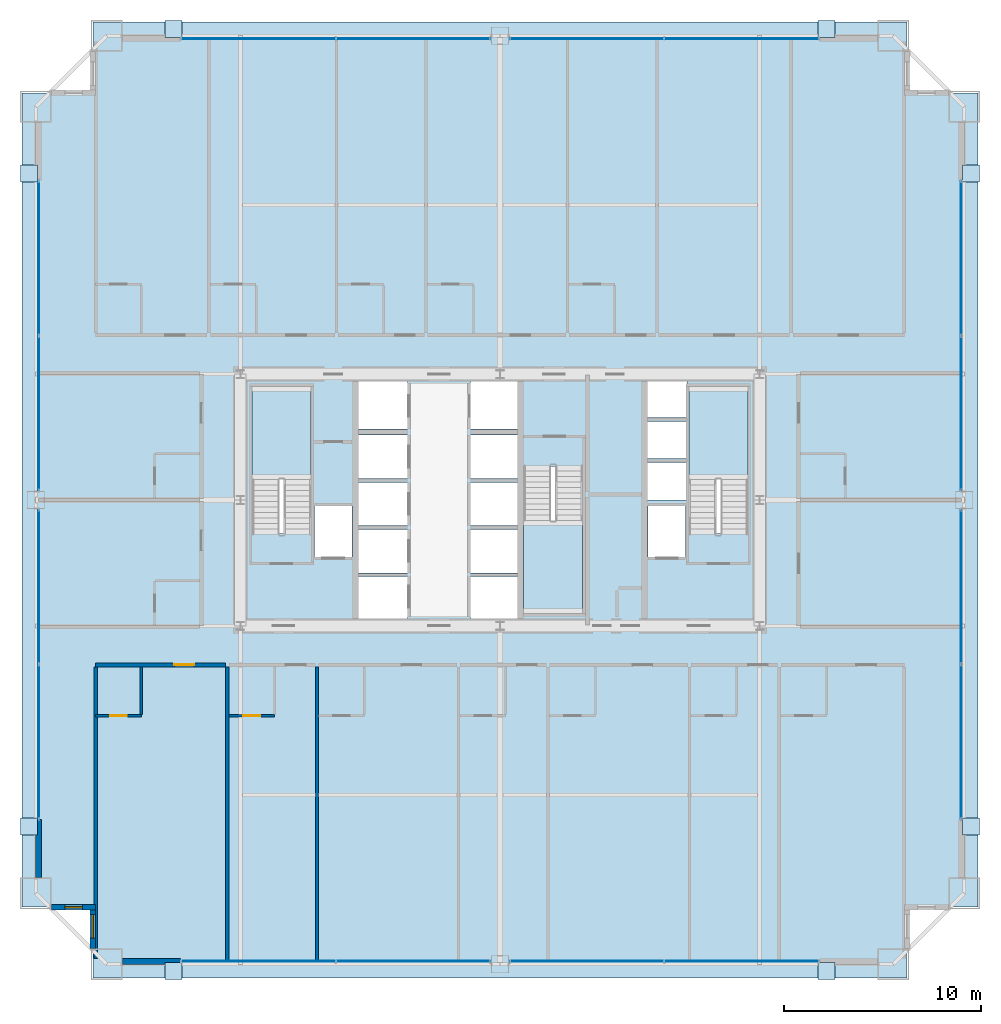
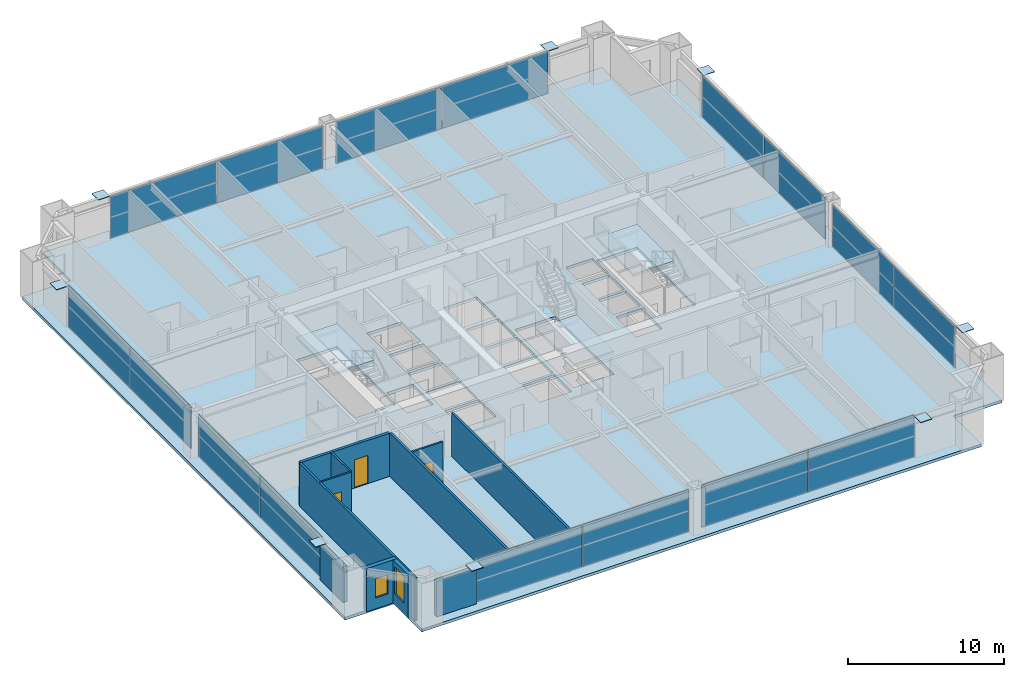
# One storey, part 33 of 38: 24 plates, 11 walls, 4 slabs, 3 doors, 2 windows, 5 openings, 11 elements without a shape of their own.
"""IFC4 building model written with IfcOpenShell, lengths in metres."""

from ifc_helpers import new_model, si_unit, direction, frame, frame_2d, origin, origin_2d, place, context, subcontext, project, spatial, polyline, rectangle, outline, extrude, source, transform, mapped, material, layer, layer_set, type_object, element, fill, aggregate, save


model = new_model("IFC4")

# Units and contexts
model_context = context("Model", 3, precision=1e-05, world=origin(), true_north=direction((0.0, 1.0)))
body_context = subcontext(model_context, "Body", "Model", "MODEL_VIEW")
ifc_project = project(units=[si_unit("LENGTHUNIT", "METRE"), si_unit("AREAUNIT", "SQUARE_METRE"), si_unit("VOLUMEUNIT", "CUBIC_METRE"), si_unit("PLANEANGLEUNIT", "RADIAN"), si_unit("MASSUNIT", "GRAM", prefix="KILO"), si_unit("THERMODYNAMICTEMPERATUREUNIT", "KELVIN"), si_unit("POWERUNIT", "WATT")], contexts=[model_context])

# Site, building, storey
site_placement = place(None, origin())
site = spatial("IfcSite", under=ifc_project, at=site_placement, CompositionType="ELEMENT")
building_placement = place(site_placement, origin())
building = spatial("IfcBuilding", under=site, at=building_placement, Name="Yuzanri Waterfront Tower", CompositionType="ELEMENT")
storey_placement = place(building_placement, frame((0.0, 0.0, 90.199951171875)))
storey = spatial("IfcBuildingStorey", under=building, at=storey_placement, Name="L23", CompositionType="ELEMENT", Elevation=90.199951171875)

# Stair, slab
ifc_material_1 = material(Name="Concrete C40", Category="concrete")
stair_type = type_object("IfcStairType", Name="Concrete C40 Core Dogleg Exit Stair", PredefinedType="HALF_TURN_STAIR", material=ifc_material_1)
stair_1_placement = place(storey_placement, origin())
stair_1 = element("IfcStair", 1, at=stair_1_placement, inside=storey, type_object=stair_type, Name="L23 Smoke-Proof Core Stair ST-01", PredefinedType="HALF_TURN_STAIR")
ifc_material_2 = material(Name="Concrete C40", Category="concrete")
ifc_layer_1 = layer(ifc_material_2, 0.179931640625)
ifc_layer_set_1 = layer_set([ifc_layer_1], Name="Concrete C40")
slab_type_1 = type_object("IfcSlabType", Name="Concrete C40 Stair Half-Landing Slab 180", PredefinedType="LANDING", material=ifc_layer_set_1)
slab_1_placement = place(storey_placement, frame((0.0, 0.0, 1.60009765625)))
slab_1 = element("IfcSlab", 2, at=slab_1_placement, type_object=slab_type_1, Name="ST-01 landing 1", PredefinedType="LANDING", context=body_context, shape_type="SweptSolid", body=[
    extrude(outline(polyline([(27.39990234375, 26.840087890625), (27.39990234375, 31.580078125), (24.39990234375, 31.580078125), (24.39990234375, 26.840087890625), (27.39990234375, 26.840087890625)])), origin(), (0.0, 0.0, 1.0), 0.199951171875),
])
aggregate(stair_1, [slab_1])

stair_2_placement = place(storey_placement, origin())
stair_2 = element("IfcStair", 3, at=stair_2_placement, inside=storey, type_object=stair_type, Name="L23 Smoke-Proof Core Stair ST-02", PredefinedType="HALF_TURN_STAIR")
slab_2_placement = place(storey_placement, frame((0.0, 0.0, 1.60009765625)))
slab_2 = element("IfcSlab", 4, at=slab_2_placement, type_object=slab_type_1, Name="ST-02 landing 1", PredefinedType="LANDING", context=body_context, shape_type="SweptSolid", body=[
    extrude(outline(polyline([(49.60009765625, 26.840087890625), (49.60009765625, 31.580078125), (46.60009765625, 31.580078125), (46.60009765625, 26.840087890625), (49.60009765625, 26.840087890625)])), origin(), (0.0, 0.0, 1.0), 0.199951171875),
])
aggregate(stair_2, [slab_2])

stair_3_placement = place(storey_placement, origin())
stair_3 = element("IfcStair", 5, at=stair_3_placement, inside=storey, type_object=stair_type, Name="L23 Smoke-Proof Core Stair ST-03", PredefinedType="HALF_TURN_STAIR")
slab_3_placement = place(storey_placement, frame((0.0, 0.0, 1.60009765625)))
slab_3 = element("IfcSlab", 6, at=slab_3_placement, type_object=slab_type_1, Name="ST-03 landing 1", PredefinedType="LANDING", context=body_context, shape_type="SweptSolid", body=[
    extrude(outline(polyline([(38.199951171875, 24.760009765625), (38.199951171875, 20.02001953125), (41.199951171875, 20.02001953125), (41.199951171875, 24.760009765625), (38.199951171875, 24.760009765625)])), origin(), (0.0, 0.0, 1.0), 0.199951171875),
])
aggregate(stair_3, [slab_3])

# Slab
ifc_material_3 = material(Name="Concrete C40", Category="concrete")
ifc_layer_2 = layer(ifc_material_3, 0.219970703125)
ifc_layer_set_2 = layer_set([ifc_layer_2], Name="Concrete C40")
slab_type_2 = type_object("IfcSlabType", Name="Concrete C40 Tower Typical Structural Floor Slab 220", PredefinedType="FLOOR", material=ifc_layer_set_2)
slab_4_placement = place(storey_placement, frame((0.0, 0.0, -0.219970703125)))
element("IfcSlab", 7, at=slab_4_placement, inside=storey, type_object=slab_type_2, Name="L23 Main Structural Floor Slab", PredefinedType="FLOOR", context=body_context, shape_type="SweptSolid", body=[
    extrude(outline(polyline([(16.300048828125, 1.5), (57.699951171875, 1.5), (57.699951171875, 5.10009765625), (61.300048828125, 5.10009765625), (61.300048828125, 46.5), (57.699951171875, 46.5), (57.699951171875, 50.10009765625), (16.300048828125, 50.10009765625), (16.300048828125, 46.5), (12.699951171875, 46.5), (12.699951171875, 5.10009765625), (16.300048828125, 5.10009765625), (16.300048828125, 1.5)]), holes=[polyline([(27.39990234375, 24.10009765625), (27.39990234375, 31.580078125), (24.39990234375, 31.580078125), (24.39990234375, 24.10009765625), (27.39990234375, 24.10009765625)]), polyline([(49.60009765625, 24.10009765625), (49.60009765625, 31.580078125), (46.60009765625, 31.580078125), (46.60009765625, 24.10009765625), (49.60009765625, 24.10009765625)]), polyline([(38.199951171875, 27.5), (38.199951171875, 20.02001953125), (41.199951171875, 20.02001953125), (41.199951171875, 27.5), (38.199951171875, 27.5)]), polyline([(27.56005859375, 22.89990234375), (29.47998046875, 22.89990234375), (29.47998046875, 25.5), (27.56005859375, 25.5), (27.56005859375, 22.89990234375)]), polyline([(44.52001953125, 22.89990234375), (46.43994140625, 22.89990234375), (46.43994140625, 25.5), (44.52001953125, 25.5), (44.52001953125, 22.89990234375)]), polyline([(29.800048828125, 19.699951171875), (32.300048828125, 19.699951171875), (32.300048828125, 21.89990234375), (29.800048828125, 21.89990234375), (29.800048828125, 19.699951171875)]), polyline([(29.800048828125, 22.10009765625), (32.300048828125, 22.10009765625), (32.300048828125, 24.300048828125), (29.800048828125, 24.300048828125), (29.800048828125, 22.10009765625)]), polyline([(29.800048828125, 24.5), (32.300048828125, 24.5), (32.300048828125, 26.699951171875), (29.800048828125, 26.699951171875), (29.800048828125, 24.5)]), polyline([(29.800048828125, 26.89990234375), (32.300048828125, 26.89990234375), (32.300048828125, 29.10009765625), (29.800048828125, 29.10009765625), (29.800048828125, 26.89990234375)]), polyline([(29.800048828125, 29.39990234375), (32.300048828125, 29.39990234375), (32.300048828125, 31.89990234375), (29.800048828125, 31.89990234375), (29.800048828125, 29.39990234375)]), polyline([(35.5, 19.699951171875), (37.89990234375, 19.699951171875), (37.89990234375, 21.89990234375), (35.5, 21.89990234375), (35.5, 19.699951171875)]), polyline([(35.5, 22.10009765625), (37.89990234375, 22.10009765625), (37.89990234375, 24.300048828125), (35.5, 24.300048828125), (35.5, 22.10009765625)]), polyline([(35.5, 24.5), (37.89990234375, 24.5), (37.89990234375, 26.699951171875), (35.5, 26.699951171875), (35.5, 24.5)]), polyline([(35.5, 26.89990234375), (37.89990234375, 26.89990234375), (37.89990234375, 29.10009765625), (35.5, 29.10009765625), (35.5, 26.89990234375)]), polyline([(35.5, 29.39990234375), (37.89990234375, 29.39990234375), (37.89990234375, 31.89990234375), (35.5, 31.89990234375), (35.5, 29.39990234375)]), polyline([(44.5, 25.800048828125), (46.5, 25.800048828125), (46.5, 27.699951171875), (44.5, 27.699951171875), (44.5, 25.800048828125)]), polyline([(44.5, 27.89990234375), (46.5, 27.89990234375), (46.5, 29.800048828125), (44.5, 29.800048828125), (44.5, 27.89990234375)]), polyline([(44.5, 30.0), (46.5, 30.0), (46.5, 31.89990234375), (44.5, 31.89990234375), (44.5, 30.0)])]), origin(), (0.0, 0.0, 1.0), 0.219970703125),
])

# Plates
ifc_material_4 = material(Name="Steel Q420GJC", Category="steel")
ifc_layer_3 = layer(ifc_material_4, 0.0400390625)
ifc_layer_set_3 = layer_set([ifc_layer_3], Name="Steel Q420GJC")
plate_type_1 = type_object("IfcPlateType", Name="Steel Q420GJC Mega-Brace Gusset and End-Cap Plate 40", PredefinedType="SHEET", material=ifc_layer_set_3)
shared_shape_1 = source(origin(), body_context, "Body", "SweptSolid", [
    extrude(rectangle(XDim=0.85009765625, YDim=0.85009765625, at=origin_2d()), origin(), (0.0, 0.0, 1.0), 0.0400390625),
])
for number, where, z_axis, x_axis, name in (
    (8, (20.39990234375, 1.860107421875, 3.260009765625), (0.0, 0.0, 1.0), (1.0, 0.0, 0.0), "L23 Mega-Brace Apex Cap Plate S-L"),
    (9, (53.60009765625, 1.860107421875, 3.260009765625), (0.0, 0.0, 1.0), (1.0, 0.0, 0.0), "L23 Mega-Brace Apex Cap Plate S-R"),
    (10, (20.39990234375, 49.739990234375, 3.260009765625), (0.0, 0.0, 1.0), (1.0, 0.0, 0.0), "L23 Mega-Brace Apex Cap Plate N-L"),
    (11, (53.60009765625, 49.739990234375, 3.260009765625), (0.0, 0.0, 1.0), (1.0, 0.0, 0.0), "L23 Mega-Brace Apex Cap Plate N-R"),
    (12, (13.06005859375, 9.199951171875, 3.260009765625), (0.0, 0.0, 1.0), (1.0, 0.0, 0.0), "L23 Mega-Brace Apex Cap Plate W-L"),
    (13, (13.06005859375, 42.39990234375, 3.260009765625), (0.0, 0.0, 1.0), (1.0, 0.0, 0.0), "L23 Mega-Brace Apex Cap Plate W-R"),
    (14, (60.93994140625, 9.199951171875, 3.260009765625), (0.0, 0.0, 1.0), (1.0, 0.0, 0.0), "L23 Mega-Brace Apex Cap Plate E-L"),
    (15, (60.93994140625, 42.39990234375, 3.260009765625), (0.0, 0.0, 1.0), (1.0, 0.0, 0.0), "L23 Mega-Brace Apex Cap Plate E-R"),
):
    element("IfcPlate", number, at=place(storey_placement, frame(where, z_axis=z_axis, x_axis=x_axis)), inside=storey, type_object=plate_type_1, Name=name, PredefinedType="SHEET", context=body_context, shape_type="MappedRepresentation", body=[
        mapped(shared_shape_1, transform((0.0, 0.0, 0.0), scale=1.0)),
    ])

# Curtain wall, plates
ifc_material_5 = material(Name="Anodized Architectural Bronze", Category="metal")
ifc_layer_4 = layer(ifc_material_5, 0.159912109375)
ifc_layer_set_4 = layer_set([ifc_layer_4], Name="Anodized Architectural Bronze")
curtain_wall_type = type_object("IfcCurtainWallType", Name="Anodized Bronze Hotel Upper-Tier Solar-Control Unitized Curtain Wall 7800", PredefinedType="NOTDEFINED", material=ifc_layer_set_4)
curtain_wall_1_placement = place(storey_placement, origin())
curtain_wall_1 = element("IfcCurtainWall", 16, at=curtain_wall_1_placement, inside=storey, type_object=curtain_wall_type, Name="L23 Curtain Wall CW-L23-SL", PredefinedType="NOTDEFINED")
ifc_material_6 = material(Name="Double-Silver Low-E Insulated Glass", Category="glass")
ifc_layer_5 = layer(ifc_material_6, 0.035888671875)
ifc_layer_set_5 = layer_set([ifc_layer_5], Name="Double-Silver Low-E Insulated Glass")
plate_type_2 = type_object("IfcPlateType", Name="Double Silver Low-E Insulated Vision Glass Panel 36", PredefinedType="CURTAIN_PANEL", material=ifc_layer_set_5)
shared_shape_2 = source(origin(), body_context, "Body", "SweptSolid", [
    extrude(rectangle(XDim=7.820068359375, YDim=0.035888671875, at=origin_2d()), origin(), (0.0, 0.0, 1.0), 3.280029296875),
])
plate_1_placement = place(storey_placement, frame((24.699951171875, 2.35009765625, 0.0498046875), z_axis=(0.0, 0.0, 1.0), x_axis=(1.0, 0.0, 0.0)))
plate_1 = element("IfcPlate", 17, at=plate_1_placement, type_object=plate_type_2, Name="CW-L23-SL Vision Glass Panel 01", PredefinedType="CURTAIN_PANEL", context=body_context, shape_type="MappedRepresentation", body=[
    mapped(shared_shape_2, transform((0.0, 0.0, 0.0), scale=1.0)),
])
plate_2_placement = place(storey_placement, frame((32.60009765625, 2.35009765625, 0.0498046875), z_axis=(0.0, 0.0, 1.0), x_axis=(1.0, 0.0, 0.0)))
plate_2 = element("IfcPlate", 18, at=plate_2_placement, type_object=plate_type_2, Name="CW-L23-SL Vision Glass Panel 02", PredefinedType="CURTAIN_PANEL", context=body_context, shape_type="MappedRepresentation", body=[
    mapped(shared_shape_2, transform((0.0, 0.0, 0.0), scale=1.0)),
])
aggregate(curtain_wall_1, [plate_1, plate_2])

curtain_wall_2_placement = place(storey_placement, origin())
curtain_wall_2 = element("IfcCurtainWall", 19, at=curtain_wall_2_placement, inside=storey, type_object=curtain_wall_type, Name="L23 Curtain Wall CW-L23-SR", PredefinedType="NOTDEFINED")
plate_3_placement = place(storey_placement, frame((41.39990234375, 2.35009765625, 0.0498046875), z_axis=(0.0, 0.0, 1.0), x_axis=(1.0, 0.0, 0.0)))
plate_3 = element("IfcPlate", 20, at=plate_3_placement, type_object=plate_type_2, Name="CW-L23-SR Vision Glass Panel 01", PredefinedType="CURTAIN_PANEL", context=body_context, shape_type="MappedRepresentation", body=[
    mapped(shared_shape_2, transform((0.0, 0.0, 0.0), scale=1.0)),
])
plate_4_placement = place(storey_placement, frame((49.300048828125, 2.35009765625, 0.0498046875), z_axis=(0.0, 0.0, 1.0), x_axis=(1.0, 0.0, 0.0)))
plate_4 = element("IfcPlate", 21, at=plate_4_placement, type_object=plate_type_2, Name="CW-L23-SR Vision Glass Panel 02", PredefinedType="CURTAIN_PANEL", context=body_context, shape_type="MappedRepresentation", body=[
    mapped(shared_shape_2, transform((0.0, 0.0, 0.0), scale=1.0)),
])
aggregate(curtain_wall_2, [plate_3, plate_4])

curtain_wall_3_placement = place(storey_placement, origin())
curtain_wall_3 = element("IfcCurtainWall", 22, at=curtain_wall_3_placement, inside=storey, type_object=curtain_wall_type, Name="L23 Curtain Wall CW-L23-NL", PredefinedType="NOTDEFINED")
plate_5_placement = place(storey_placement, frame((24.699951171875, 49.25, 0.0498046875), z_axis=(0.0, 0.0, 1.0), x_axis=(1.0, 0.0, 0.0)))
plate_5 = element("IfcPlate", 23, at=plate_5_placement, type_object=plate_type_2, Name="CW-L23-NL Vision Glass Panel 01", PredefinedType="CURTAIN_PANEL", context=body_context, shape_type="MappedRepresentation", body=[
    mapped(shared_shape_2, transform((0.0, 0.0, 0.0), scale=1.0)),
])
plate_6_placement = place(storey_placement, frame((32.60009765625, 49.25, 0.0498046875), z_axis=(0.0, 0.0, 1.0), x_axis=(1.0, 0.0, 0.0)))
plate_6 = element("IfcPlate", 24, at=plate_6_placement, type_object=plate_type_2, Name="CW-L23-NL Vision Glass Panel 02", PredefinedType="CURTAIN_PANEL", context=body_context, shape_type="MappedRepresentation", body=[
    mapped(shared_shape_2, transform((0.0, 0.0, 0.0), scale=1.0)),
])
aggregate(curtain_wall_3, [plate_5, plate_6])

curtain_wall_4_placement = place(storey_placement, origin())
curtain_wall_4 = element("IfcCurtainWall", 25, at=curtain_wall_4_placement, inside=storey, type_object=curtain_wall_type, Name="L23 Curtain Wall CW-L23-NR", PredefinedType="NOTDEFINED")
plate_7_placement = place(storey_placement, frame((41.39990234375, 49.25, 0.0498046875), z_axis=(0.0, 0.0, 1.0), x_axis=(1.0, 0.0, 0.0)))
plate_7 = element("IfcPlate", 26, at=plate_7_placement, type_object=plate_type_2, Name="CW-L23-NR Vision Glass Panel 01", PredefinedType="CURTAIN_PANEL", context=body_context, shape_type="MappedRepresentation", body=[
    mapped(shared_shape_2, transform((0.0, 0.0, 0.0), scale=1.0)),
])
plate_8_placement = place(storey_placement, frame((49.300048828125, 49.25, 0.0498046875), z_axis=(0.0, 0.0, 1.0), x_axis=(1.0, 0.0, 0.0)))
plate_8 = element("IfcPlate", 27, at=plate_8_placement, type_object=plate_type_2, Name="CW-L23-NR Vision Glass Panel 02", PredefinedType="CURTAIN_PANEL", context=body_context, shape_type="MappedRepresentation", body=[
    mapped(shared_shape_2, transform((0.0, 0.0, 0.0), scale=1.0)),
])
aggregate(curtain_wall_4, [plate_7, plate_8])

curtain_wall_5_placement = place(storey_placement, origin())
curtain_wall_5 = element("IfcCurtainWall", 28, at=curtain_wall_5_placement, inside=storey, type_object=curtain_wall_type, Name="L23 Curtain Wall CW-L23-WL", PredefinedType="NOTDEFINED")
plate_9_placement = place(storey_placement, frame((13.550048828125, 13.5, 0.0498046875), z_axis=(0.0, 0.0, 1.0), x_axis=(0.0, 1.0, 0.0)))
plate_9 = element("IfcPlate", 29, at=plate_9_placement, type_object=plate_type_2, Name="CW-L23-WL Vision Glass Panel 01", PredefinedType="CURTAIN_PANEL", context=body_context, shape_type="MappedRepresentation", body=[
    mapped(shared_shape_2, transform((0.0, 0.0, 0.0), scale=1.0)),
])
plate_10_placement = place(storey_placement, frame((13.550048828125, 21.39990234375, 0.0498046875), z_axis=(0.0, 0.0, 1.0), x_axis=(0.0, 1.0, 0.0)))
plate_10 = element("IfcPlate", 30, at=plate_10_placement, type_object=plate_type_2, Name="CW-L23-WL Vision Glass Panel 02", PredefinedType="CURTAIN_PANEL", context=body_context, shape_type="MappedRepresentation", body=[
    mapped(shared_shape_2, transform((0.0, 0.0, 0.0), scale=1.0)),
])
aggregate(curtain_wall_5, [plate_9, plate_10])

curtain_wall_6_placement = place(storey_placement, origin())
curtain_wall_6 = element("IfcCurtainWall", 31, at=curtain_wall_6_placement, inside=storey, type_object=curtain_wall_type, Name="L23 Curtain Wall CW-L23-WR", PredefinedType="NOTDEFINED")
plate_11_placement = place(storey_placement, frame((13.550048828125, 30.199951171875, 0.0498046875), z_axis=(0.0, 0.0, 1.0), x_axis=(0.0, 1.0, 0.0)))
plate_11 = element("IfcPlate", 32, at=plate_11_placement, type_object=plate_type_2, Name="CW-L23-WR Vision Glass Panel 01", PredefinedType="CURTAIN_PANEL", context=body_context, shape_type="MappedRepresentation", body=[
    mapped(shared_shape_2, transform((0.0, 0.0, 0.0), scale=1.0)),
])
plate_12_placement = place(storey_placement, frame((13.550048828125, 38.10009765625, 0.0498046875), z_axis=(0.0, 0.0, 1.0), x_axis=(0.0, 1.0, 0.0)))
plate_12 = element("IfcPlate", 33, at=plate_12_placement, type_object=plate_type_2, Name="CW-L23-WR Vision Glass Panel 02", PredefinedType="CURTAIN_PANEL", context=body_context, shape_type="MappedRepresentation", body=[
    mapped(shared_shape_2, transform((0.0, 0.0, 0.0), scale=1.0)),
])
aggregate(curtain_wall_6, [plate_11, plate_12])

curtain_wall_7_placement = place(storey_placement, origin())
curtain_wall_7 = element("IfcCurtainWall", 34, at=curtain_wall_7_placement, inside=storey, type_object=curtain_wall_type, Name="L23 Curtain Wall CW-L23-EL", PredefinedType="NOTDEFINED")
plate_13_placement = place(storey_placement, frame((60.449951171875, 13.5, 0.0498046875), z_axis=(0.0, 0.0, 1.0), x_axis=(0.0, 1.0, 0.0)))
plate_13 = element("IfcPlate", 35, at=plate_13_placement, type_object=plate_type_2, Name="CW-L23-EL Vision Glass Panel 01", PredefinedType="CURTAIN_PANEL", context=body_context, shape_type="MappedRepresentation", body=[
    mapped(shared_shape_2, transform((0.0, 0.0, 0.0), scale=1.0)),
])
plate_14_placement = place(storey_placement, frame((60.449951171875, 21.39990234375, 0.0498046875), z_axis=(0.0, 0.0, 1.0), x_axis=(0.0, 1.0, 0.0)))
plate_14 = element("IfcPlate", 36, at=plate_14_placement, type_object=plate_type_2, Name="CW-L23-EL Vision Glass Panel 02", PredefinedType="CURTAIN_PANEL", context=body_context, shape_type="MappedRepresentation", body=[
    mapped(shared_shape_2, transform((0.0, 0.0, 0.0), scale=1.0)),
])
aggregate(curtain_wall_7, [plate_13, plate_14])

curtain_wall_8_placement = place(storey_placement, origin())
curtain_wall_8 = element("IfcCurtainWall", 37, at=curtain_wall_8_placement, inside=storey, type_object=curtain_wall_type, Name="L23 Curtain Wall CW-L23-ER", PredefinedType="NOTDEFINED")
plate_15_placement = place(storey_placement, frame((60.449951171875, 30.199951171875, 0.0498046875), z_axis=(0.0, 0.0, 1.0), x_axis=(0.0, 1.0, 0.0)))
plate_15 = element("IfcPlate", 38, at=plate_15_placement, type_object=plate_type_2, Name="CW-L23-ER Vision Glass Panel 01", PredefinedType="CURTAIN_PANEL", context=body_context, shape_type="MappedRepresentation", body=[
    mapped(shared_shape_2, transform((0.0, 0.0, 0.0), scale=1.0)),
])
plate_16_placement = place(storey_placement, frame((60.449951171875, 38.10009765625, 0.0498046875), z_axis=(0.0, 0.0, 1.0), x_axis=(0.0, 1.0, 0.0)))
plate_16 = element("IfcPlate", 39, at=plate_16_placement, type_object=plate_type_2, Name="CW-L23-ER Vision Glass Panel 02", PredefinedType="CURTAIN_PANEL", context=body_context, shape_type="MappedRepresentation", body=[
    mapped(shared_shape_2, transform((0.0, 0.0, 0.0), scale=1.0)),
])
aggregate(curtain_wall_8, [plate_15, plate_16])

# Wall, opening, door
ifc_material_7 = material(Name="Moisture-Resistant Gypsum Stud Wall", Category="gypsum")
ifc_layer_6 = layer(ifc_material_7, 0.1201171875)
ifc_layer_set_6 = layer_set([ifc_layer_6], Name="Moisture-Resistant Gypsum Stud Wall")
wall_type_1 = type_object("IfcWallType", Name="Bathroom and Kitchen Wet Partition 120", PredefinedType="PARTITIONING", material=ifc_layer_set_6)
wall_1_placement = place(storey_placement, frame((16.43994140625, 14.840087890625, 0.0), z_axis=(0.0, 0.0, 1.0), x_axis=(1.0, 0.0, 0.0)))
wall_1 = element("IfcWall", 40, at=wall_1_placement, inside=storey, type_object=wall_type_1, Name="L23 Partition UW-L23-S1-BS", PredefinedType="PARTITIONING", context=body_context, shape_type="SweptSolid", body=[
    extrude(rectangle(XDim=2.330078125, YDim=0.1201171875, at=frame_2d((1.1650390625, 0.0))), origin(), (0.0, 0.0, 1.0), 3.380126953125),
])
opening_1_placement = place(wall_1_placement, frame((0.739990234375, 0.0, 0.0)))
opening_1 = element("IfcOpeningElement", 41, at=opening_1_placement, cuts=wall_1, Name="Opening ID-0850", PredefinedType="OPENING", context=body_context, shape_type="SweptSolid", body=[
    extrude(rectangle(XDim=0.85009765625, YDim=2.10009765625, at=frame_2d((0.425048828125, 1.050048828125))), frame((0.0, 0.074951171875, 0.0), z_axis=(0.0, -1.0, 0.0), x_axis=(1.0, 0.0, 0.0)), (0.0, 0.0, 1.0), 0.14990234375),
])
ifc_material_8 = material(Name="Moisture-Resistant Lacquered Timber", Category="wood")
door_type_1 = type_object("IfcDoorType", Name="En-Suite Bathroom and Kitchen Swing Door 850x2100", OperationType="NOTDEFINED", PredefinedType="DOOR", material=ifc_material_8)
shared_shape_3 = source(origin(), body_context, "Body", "SweptSolid", [
    extrude(rectangle(XDim=0.85009765625, YDim=2.10009765625, at=frame_2d((0.425048828125, 1.050048828125))), frame((0.0, 0.02490234375, 0.0), z_axis=(0.0, -1.0, 0.0), x_axis=(1.0, 0.0, 0.0)), (0.0, 0.0, 1.0), 0.050048828125),
])
door_1_placement = place(opening_1_placement, origin())
door_1 = element("IfcDoor", 42, at=door_1_placement, inside=storey, type_object=door_type_1, Name="L23 Guest En-Suite Door", OperationType="SINGLE_SWING_LEFT", OverallHeight=2.10009765625, OverallWidth=0.85009765625, PredefinedType="DOOR", context=body_context, shape_type="MappedRepresentation", body=[
    mapped(shared_shape_3, transform((0.0, 0.0, 0.0), scale=1.0)),
])
fill(opening_1, door_1)

wall_2_placement = place(storey_placement, frame((23.217041015625, 14.840087890625, 0.0), z_axis=(0.0, 0.0, 1.0), x_axis=(1.0, 0.0, 0.0)))
wall_2 = element("IfcWall", 43, at=wall_2_placement, inside=storey, type_object=wall_type_1, Name="L23 Partition UW-L23-S2-BS", PredefinedType="PARTITIONING", context=body_context, shape_type="SweptSolid", body=[
    extrude(rectangle(XDim=2.327880859375, YDim=0.1201171875, at=frame_2d((1.1640625, 0.0))), origin(), (0.0, 0.0, 1.0), 3.380126953125),
])
opening_2_placement = place(wall_2_placement, frame((0.739013671875, 0.0, 0.0)))
opening_2 = element("IfcOpeningElement", 44, at=opening_2_placement, cuts=wall_2, Name="Opening ID-0850", PredefinedType="OPENING", context=body_context, shape_type="SweptSolid", body=[
    extrude(rectangle(XDim=0.85009765625, YDim=2.10009765625, at=frame_2d((0.425048828125, 1.050048828125))), frame((0.0, 0.074951171875, 0.0), z_axis=(0.0, -1.0, 0.0), x_axis=(1.0, 0.0, 0.0)), (0.0, 0.0, 1.0), 0.14990234375),
])
door_2_placement = place(opening_2_placement, origin())
door_2 = element("IfcDoor", 45, at=door_2_placement, inside=storey, type_object=door_type_1, Name="L23 Guest En-Suite Door", OperationType="SINGLE_SWING_LEFT", OverallHeight=2.10009765625, OverallWidth=0.85009765625, PredefinedType="DOOR", context=body_context, shape_type="MappedRepresentation", body=[
    mapped(shared_shape_3, transform((0.0, 0.0, 0.0), scale=1.0)),
])
fill(opening_2, door_2)

# Wall, opening, window
ifc_material_9 = material(Name="Honed Chongqing Dark Basalt Stone", Category="masonry")
ifc_layer_7 = layer(ifc_material_9, 0.300048828125)
ifc_layer_set_7 = layer_set([ifc_layer_7], Name="Honed Chongqing Dark Basalt Stone")
wall_type_2 = type_object("IfcWallType", Name="Bronze Rainscreen Insulated Spandrel Portal Wall 300", PredefinedType="SOLIDWALL", material=ifc_layer_set_7)
wall_3_placement = place(storey_placement, frame((14.199951171875, 5.10009765625, 0.0), z_axis=(0.0, 0.0, 1.0), x_axis=(1.0, 0.0, 0.0)))
wall_3 = element("IfcWall", 46, at=wall_3_placement, inside=storey, type_object=wall_type_2, Name="L23 Notched Corner Masonry Wall SW-X", PredefinedType="SOLIDWALL", context=body_context, shape_type="SweptSolid", body=[
    extrude(rectangle(XDim=2.25, YDim=0.300048828125, at=frame_2d((1.125, 0.0))), origin(), (0.0, 0.0, 1.0), 3.380126953125),
])
opening_3_placement = place(wall_3_placement, frame((0.675048828125, 0.0, 0.85009765625)))
opening_3 = element("IfcOpeningElement", 47, at=opening_3_placement, cuts=wall_3, Name="Opening WN-05", PredefinedType="OPENING", context=body_context, shape_type="SweptSolid", body=[
    extrude(rectangle(XDim=0.89990234375, YDim=1.5, at=frame_2d((0.449951171875, 0.75))), frame((0.0, 0.1650390625, 0.0), z_axis=(0.0, -1.0, 0.0), x_axis=(1.0, 0.0, 0.0)), (0.0, 0.0, 1.0), 0.329833984375),
])
ifc_material_10 = material(Name="Double-Silver Low-E Insulated Glass", Category="glass")
window_type_1 = type_object("IfcWindowType", Name="Anodized Bronze Service and Stairwell Smoke-Vent Window 900x1500", PartitioningType="SINGLE_PANEL", PredefinedType="WINDOW", material=ifc_material_10)
shared_shape_4 = source(origin(), body_context, "Body", "SweptSolid", [
    extrude(rectangle(XDim=0.89990234375, YDim=1.5, at=frame_2d((0.449951171875, 0.75))), frame((0.0, 0.030029296875, 0.0), z_axis=(0.0, -1.0, 0.0), x_axis=(1.0, 0.0, 0.0)), (0.0, 0.0, 1.0), 0.06005859375),
])
window_1_placement = place(opening_3_placement, origin())
window_1 = element("IfcWindow", 48, at=window_1_placement, inside=storey, type_object=window_type_1, Name="L23 Notched Corner Window SW-X", OverallHeight=1.5, OverallWidth=0.89990234375, PartitioningType="SINGLE_PANEL", PredefinedType="WINDOW", context=body_context, shape_type="MappedRepresentation", body=[
    mapped(shared_shape_4, transform((0.0, 0.0, 0.0), scale=1.0)),
])
fill(opening_3, window_1)

wall_4_placement = place(storey_placement, frame((16.300048828125, 5.25, 0.0), z_axis=(0.0, 0.0, 1.0), x_axis=(0.0, -1.0, 0.0)))
wall_4 = element("IfcWall", 49, at=wall_4_placement, inside=storey, type_object=wall_type_2, Name="L23 Notched Corner Masonry Wall SW-Y", PredefinedType="SOLIDWALL", context=body_context, shape_type="SweptSolid", body=[
    extrude(rectangle(XDim=2.25, YDim=0.300048828125, at=frame_2d((1.125, 0.0))), origin(), (0.0, 0.0, 1.0), 3.380126953125),
])
opening_4_placement = place(wall_4_placement, frame((0.52490234375, 0.0, 0.85009765625)))
opening_4 = element("IfcOpeningElement", 50, at=opening_4_placement, cuts=wall_4, Name="Opening WN-02", PredefinedType="OPENING", context=body_context, shape_type="SweptSolid", body=[
    extrude(rectangle(XDim=1.199951171875, YDim=2.10009765625, at=frame_2d((0.60009765625, 1.050048828125))), frame((0.0, 0.1650390625, 0.0), z_axis=(0.0, -1.0, 0.0), x_axis=(1.0, 0.0, 0.0)), (0.0, 0.0, 1.0), 0.329833984375),
])
ifc_material_11 = material(Name="Double-Silver Low-E Insulated Glass", Category="glass")
window_type_2 = type_object("IfcWindowType", Name="Anodized Bronze Notched Corner Deep-Set Slot Window 1200x2100", PartitioningType="SINGLE_PANEL", PredefinedType="WINDOW", material=ifc_material_11)
shared_shape_5 = source(origin(), body_context, "Body", "SweptSolid", [
    extrude(rectangle(XDim=1.199951171875, YDim=2.10009765625, at=frame_2d((0.60009765625, 1.050048828125))), frame((0.0, 0.030029296875, 0.0), z_axis=(0.0, -1.0, 0.0), x_axis=(1.0, 0.0, 0.0)), (0.0, 0.0, 1.0), 0.06005859375),
])
window_2_placement = place(opening_4_placement, origin())
window_2 = element("IfcWindow", 51, at=window_2_placement, inside=storey, type_object=window_type_2, Name="L23 Notched Corner Window SW-Y", OverallHeight=2.10009765625, OverallWidth=1.199951171875, PartitioningType="SINGLE_PANEL", PredefinedType="WINDOW", context=body_context, shape_type="MappedRepresentation", body=[
    mapped(shared_shape_5, transform((0.0, 0.0, 0.0), scale=1.0)),
])
fill(opening_4, window_2)

# Wall, opening, door
ifc_material_12 = material(Name="Autoclaved Aerated Concrete Blockwork", Category="masonry")
ifc_layer_8 = layer(ifc_material_12, 0.199951171875)
ifc_layer_set_8 = layer_set([ifc_layer_8], Name="Autoclaved Aerated Concrete Blockwork")
wall_type_3 = type_object("IfcWallType", Name="Corridor and Unit Party Fire Wall 200", PredefinedType="PARTITIONING", material=ifc_layer_set_8)
wall_5_placement = place(storey_placement, frame((16.43994140625, 17.419921875, 0.0), z_axis=(0.0, 0.0, 1.0), x_axis=(1.0, 0.0, 0.0)))
wall_5 = element("IfcWall", 52, at=wall_5_placement, inside=storey, type_object=wall_type_3, Name="L23 Partition UW-L23-S1-CN", PredefinedType="PARTITIONING", context=body_context, shape_type="SweptSolid", body=[
    extrude(rectangle(XDim=6.616943359375, YDim=0.199951171875, at=frame_2d((3.30859375, 0.0))), origin(), (0.0, 0.0, 1.0), 3.380126953125),
])
opening_5_placement = place(wall_5_placement, frame((4.012939453125, 0.0, 0.0)))
opening_5 = element("IfcOpeningElement", 53, at=opening_5_placement, cuts=wall_5, Name="Opening FD-1000", PredefinedType="OPENING", context=body_context, shape_type="SweptSolid", body=[
    extrude(rectangle(XDim=1.0, YDim=2.199951171875, at=frame_2d((0.5, 1.10009765625))), frame((0.0, 0.11474609375, 0.0), z_axis=(0.0, -1.0, 0.0), x_axis=(1.0, 0.0, 0.0)), (0.0, 0.0, 1.0), 0.229736328125),
])
ifc_material_13 = material(Name="Engineered Oak Fire-Rated Timber", Category="wood")
door_type_2 = type_object("IfcDoorType", Name="Guestroom and Apartment Entrance Fire Door 1000x2200", OperationType="NOTDEFINED", PredefinedType="DOOR", material=ifc_material_13)
shared_shape_6 = source(origin(), body_context, "Body", "SweptSolid", [
    extrude(rectangle(XDim=1.0, YDim=2.199951171875, at=frame_2d((0.5, 1.10009765625))), frame((0.0, 0.02490234375, 0.0), z_axis=(0.0, -1.0, 0.0), x_axis=(1.0, 0.0, 0.0)), (0.0, 0.0, 1.0), 0.050048828125),
])
door_3_placement = place(opening_5_placement, origin())
door_3 = element("IfcDoor", 54, at=door_3_placement, inside=storey, type_object=door_type_2, Name="L23 Superior King Junior Suite Entrance Door", OperationType="SINGLE_SWING_RIGHT", OverallHeight=2.199951171875, OverallWidth=1.0, PredefinedType="DOOR", context=body_context, shape_type="MappedRepresentation", body=[
    mapped(shared_shape_6, transform((0.0, 0.0, 0.0), scale=1.0)),
])
fill(opening_5, door_3)

# Walls
shared_shape_7 = source(origin(), body_context, "Body", "SweptSolid", [
    extrude(rectangle(XDim=2.949951171875, YDim=0.300048828125, at=frame_2d((1.47509765625, 0.0))), origin(), (0.0, 0.0, 1.0), 2.775146484375),
])
for number, where, z_axis, x_axis, name in (
    (55, (17.800048828125, 2.35009765625, 0.0), (0.0, 0.0, 1.0), (1.0, 0.0, 0.0), "L23 S Left Braced Masonry Shoulder"),
    (56, (13.550048828125, 6.60009765625, 0.0), (0.0, 0.0, 1.0), (0.0, 1.0, 0.0), "L23 W Left Braced Masonry Shoulder"),
):
    element("IfcWall", number, at=place(storey_placement, frame(where, z_axis=z_axis, x_axis=x_axis)), inside=storey, type_object=wall_type_2, Name=name, PredefinedType="SOLIDWALL", context=body_context, shape_type="MappedRepresentation", body=[
        mapped(shared_shape_7, transform((0.0, 0.0, 0.0), scale=1.0)),
    ])
shared_shape_8 = source(origin(), body_context, "Body", "SweptSolid", [
    extrude(rectangle(XDim=2.420166015625, YDim=0.1201171875, at=frame_2d((1.2099609375, 0.0))), origin(), (0.0, 0.0, 1.0), 3.380126953125),
])
wall_6_placement = place(storey_placement, frame((18.77001953125, 14.89990234375, 0.0), z_axis=(0.0, 0.0, 1.0), x_axis=(0.0, 1.0, 0.0)))
element("IfcWall", 57, at=wall_6_placement, inside=storey, type_object=wall_type_1, Name="L23-S1 En-Suite Side Wall", PredefinedType="PARTITIONING", context=body_context, shape_type="MappedRepresentation", body=[
    mapped(shared_shape_8, transform((0.0, 0.0, 0.0), scale=1.0)),
])
ifc_material_14 = material(Name="Gypsum Fireboard Acoustic Stud Wall", Category="gypsum")
ifc_layer_9 = layer(ifc_material_14, 0.159912109375)
ifc_layer_set_9 = layer_set([ifc_layer_9], Name="Gypsum Fireboard Acoustic Stud Wall")
wall_type_4 = type_object("IfcWallType", Name="Acoustic Suite Demising Partition 160", PredefinedType="PARTITIONING", material=ifc_layer_set_9)
shared_shape_9 = source(origin(), body_context, "Body", "SweptSolid", [
    extrude(rectangle(XDim=14.969970703125, YDim=0.159912109375, at=frame_2d((7.48486328125, 0.0))), origin(), (0.0, 0.0, 1.0), 3.380126953125),
])
for number, where, z_axis, x_axis, name in (
    (58, (23.136962890625, 2.35009765625, 0.0), (0.0, 0.0, 1.0), (0.0, 1.0, 0.0), "L23-S1 Party Wall"),
    (59, (27.695068359375, 2.35009765625, 0.0), (0.0, 0.0, 1.0), (0.0, 1.0, 0.0), "L23-S2 Party Wall"),
):
    element("IfcWall", number, at=place(storey_placement, frame(where, z_axis=z_axis, x_axis=x_axis)), inside=storey, type_object=wall_type_4, Name=name, PredefinedType="PARTITIONING", context=body_context, shape_type="MappedRepresentation", body=[
        mapped(shared_shape_9, transform((0.0, 0.0, 0.0), scale=1.0)),
    ])
shared_shape_10 = source(origin(), body_context, "Body", "SweptSolid", [
    extrude(rectangle(XDim=14.820068359375, YDim=0.159912109375, at=frame_2d((7.41015625, 0.0))), origin(), (0.0, 0.0, 1.0), 3.380126953125),
])
wall_7_placement = place(storey_placement, frame((16.449951171875, 2.5, 0.0), z_axis=(0.0, 0.0, 1.0), x_axis=(0.0, 1.0, 0.0)))
element("IfcWall", 60, at=wall_7_placement, inside=storey, type_object=wall_type_4, Name="L23 South Band West End Wall", PredefinedType="PARTITIONING", context=body_context, shape_type="MappedRepresentation", body=[
    mapped(shared_shape_10, transform((0.0, 0.0, 0.0), scale=1.0)),
])

save(model, "model.ifc")
